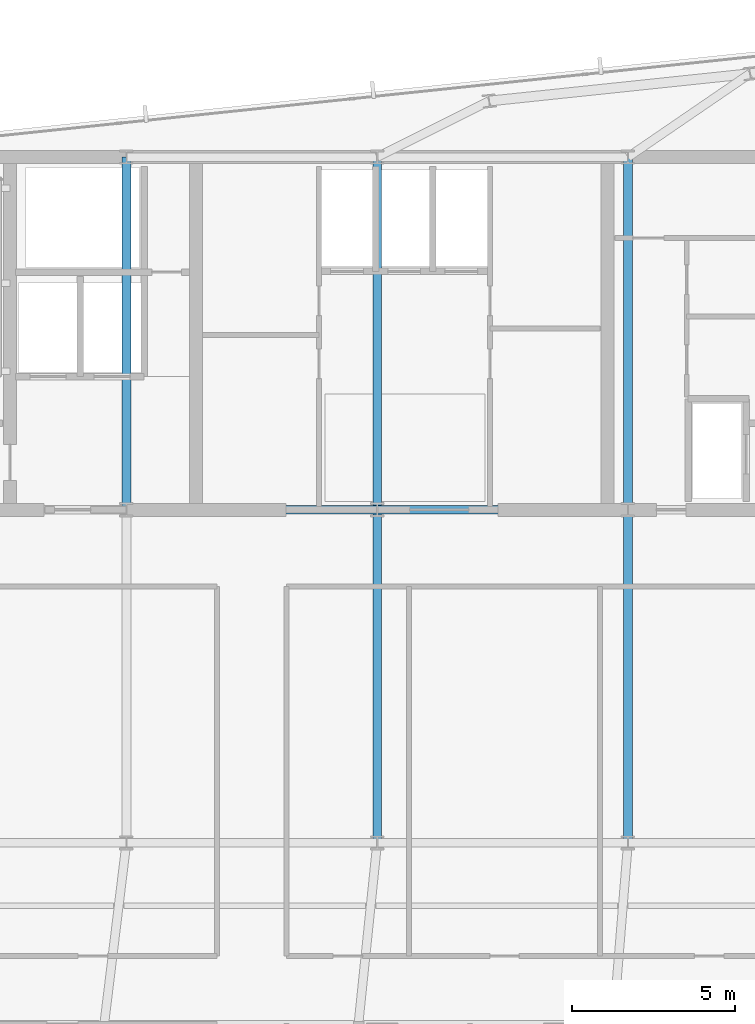
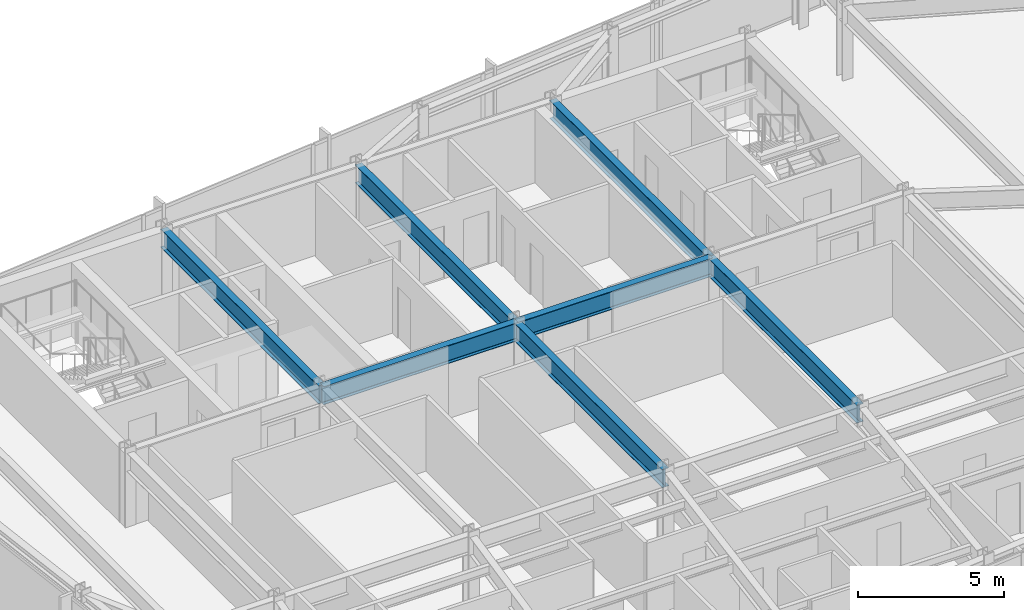
# One storey, part 13 of 32: 7 beams.
"""IFC4 building model written with IfcOpenShell, lengths in metres."""

from ifc_helpers import new_model, si_unit, direction, frame, origin, origin_2d, place, context, subcontext, project, spatial, i_section, extrude, material, material_profile, profile_set, type_object, element, save


model = new_model("IFC4")

# Units and contexts
model_context = context("Model", 3, precision=1e-05, world=origin(), true_north=direction((0.0, 1.0)))
body_context = subcontext(model_context, "Body", "Model", "MODEL_VIEW")
ifc_project = project(units=[si_unit("LENGTHUNIT", "METRE"), si_unit("AREAUNIT", "SQUARE_METRE"), si_unit("VOLUMEUNIT", "CUBIC_METRE"), si_unit("PLANEANGLEUNIT", "RADIAN"), si_unit("MASSUNIT", "GRAM", prefix="KILO")], contexts=[model_context])

# Site, building, storey
site_placement = place(None, origin())
site = spatial("IfcSite", under=ifc_project, at=site_placement, CompositionType="ELEMENT")
building_placement = place(site_placement, origin())
building = spatial("IfcBuilding", under=site, at=building_placement, Name="Yelkora Congress Tower", CompositionType="ELEMENT")
storey_placement = place(building_placement, frame((0.0, 0.0, 211.10009765625)))
storey = spatial("IfcBuildingStorey", under=building, at=storey_placement, Name="L58", CompositionType="ELEMENT", Elevation=211.10009765625)

# Beams
ifc_material = material(Name="Steel S355J2", Category="steel")
ifc_material_profile = material_profile(ifc_material, i_section(OverallWidth=0.26708984375, OverallDepth=0.761962890625, WebThickness=0.014404296875, FlangeThickness=0.021484375, FilletRadius=0.01708984375, at=origin_2d()), Name="IPE 750x173")
ifc_profile_set = profile_set([ifc_material_profile], Name="Steel S355J2")
beam_type = type_object("IfcBeamType", Name="BM-GIRD-IPE750", PredefinedType="BEAM", material=ifc_profile_set)
beam_1_placement = place(storey_placement, frame((30.719970703125, 35.39990234375, 2.698974609375), z_axis=(1.0, 0.0, 0.0), x_axis=(0.0, 1.0, 0.0)))
element("IfcBeam", 1, at=beam_1_placement, inside=storey, type_object=beam_type, Name="L58 Core South Girder 2", PredefinedType="BEAM", context=body_context, shape_type="SweptSolid", body=[
    extrude(i_section(OverallWidth=0.26708984375, OverallDepth=0.761962890625, WebThickness=0.014404296875, FlangeThickness=0.021484375, FilletRadius=0.01708984375, at=origin_2d()), origin(), (0.0, 0.0, 1.0), 7.679931640625),
])
beam_2_placement = place(storey_placement, frame((38.39990234375, 35.39990234375, 2.698974609375), z_axis=(1.0, 0.0, 0.0), x_axis=(0.0, 1.0, 0.0)))
element("IfcBeam", 2, at=beam_2_placement, inside=storey, type_object=beam_type, Name="L58 Core South Girder 3", PredefinedType="BEAM", context=body_context, shape_type="SweptSolid", body=[
    extrude(i_section(OverallWidth=0.26708984375, OverallDepth=0.761962890625, WebThickness=0.014404296875, FlangeThickness=0.021484375, FilletRadius=0.01708984375, at=origin_2d()), origin(), (0.0, 0.0, 1.0), 7.68017578125),
])
beam_3_placement = place(storey_placement, frame((30.719970703125, 35.39990234375, 2.698974609375), z_axis=(0.0, 1.0, 0.0), x_axis=(-1.0, 0.0, 0.0)))
element("IfcBeam", 3, at=beam_3_placement, inside=storey, type_object=beam_type, Name="L58 Core Tie Girder MC-S2", PredefinedType="BEAM", context=body_context, shape_type="SweptSolid", body=[
    extrude(i_section(OverallWidth=0.26708984375, OverallDepth=0.761962890625, WebThickness=0.014404296875, FlangeThickness=0.021484375, FilletRadius=0.01708984375, at=origin_2d()), origin(), (0.0, 0.0, 1.0), 10.800048828125),
])
beam_4_placement = place(storey_placement, frame((38.39990234375, 25.199951171875, 2.698974609375), z_axis=(0.0, 1.0, 0.0), x_axis=(-1.0, 0.0, 0.0)))
element("IfcBeam", 4, at=beam_4_placement, inside=storey, type_object=beam_type, Name="L58 Core Tie Girder MC-D3", PredefinedType="BEAM", context=body_context, shape_type="SweptSolid", body=[
    extrude(i_section(OverallWidth=0.26708984375, OverallDepth=0.761962890625, WebThickness=0.014404296875, FlangeThickness=0.021484375, FilletRadius=0.01708984375, at=origin_2d()), origin(), (0.0, 0.0, 1.0), 10.199951171875),
])
beam_5_placement = place(storey_placement, frame((38.39990234375, 35.39990234375, 2.698974609375), z_axis=(0.0, 1.0, 0.0), x_axis=(-1.0, 0.0, 0.0)))
element("IfcBeam", 5, at=beam_5_placement, inside=storey, type_object=beam_type, Name="L58 Core Tie Girder MC-S3", PredefinedType="BEAM", context=body_context, shape_type="SweptSolid", body=[
    extrude(i_section(OverallWidth=0.26708984375, OverallDepth=0.761962890625, WebThickness=0.014404296875, FlangeThickness=0.021484375, FilletRadius=0.01708984375, at=origin_2d()), origin(), (0.0, 0.0, 1.0), 10.800048828125),
])
beam_6_placement = place(storey_placement, frame((46.080078125, 25.199951171875, 2.698974609375), z_axis=(0.0, 1.0, 0.0), x_axis=(-1.0, 0.0, 0.0)))
element("IfcBeam", 6, at=beam_6_placement, inside=storey, type_object=beam_type, Name="L58 Core Tie Girder MC-D4", PredefinedType="BEAM", context=body_context, shape_type="SweptSolid", body=[
    extrude(i_section(OverallWidth=0.26708984375, OverallDepth=0.761962890625, WebThickness=0.014404296875, FlangeThickness=0.021484375, FilletRadius=0.01708984375, at=origin_2d()), origin(), (0.0, 0.0, 1.0), 10.199951171875),
])
beam_7_placement = place(storey_placement, frame((46.080078125, 35.39990234375, 2.698974609375), z_axis=(0.0, 1.0, 0.0), x_axis=(-1.0, 0.0, 0.0)))
element("IfcBeam", 7, at=beam_7_placement, inside=storey, type_object=beam_type, Name="L58 Core Tie Girder MC-S4", PredefinedType="BEAM", context=body_context, shape_type="SweptSolid", body=[
    extrude(i_section(OverallWidth=0.26708984375, OverallDepth=0.761962890625, WebThickness=0.014404296875, FlangeThickness=0.021484375, FilletRadius=0.01708984375, at=origin_2d()), origin(), (0.0, 0.0, 1.0), 10.800048828125),
])

save(model, "model.ifc")
